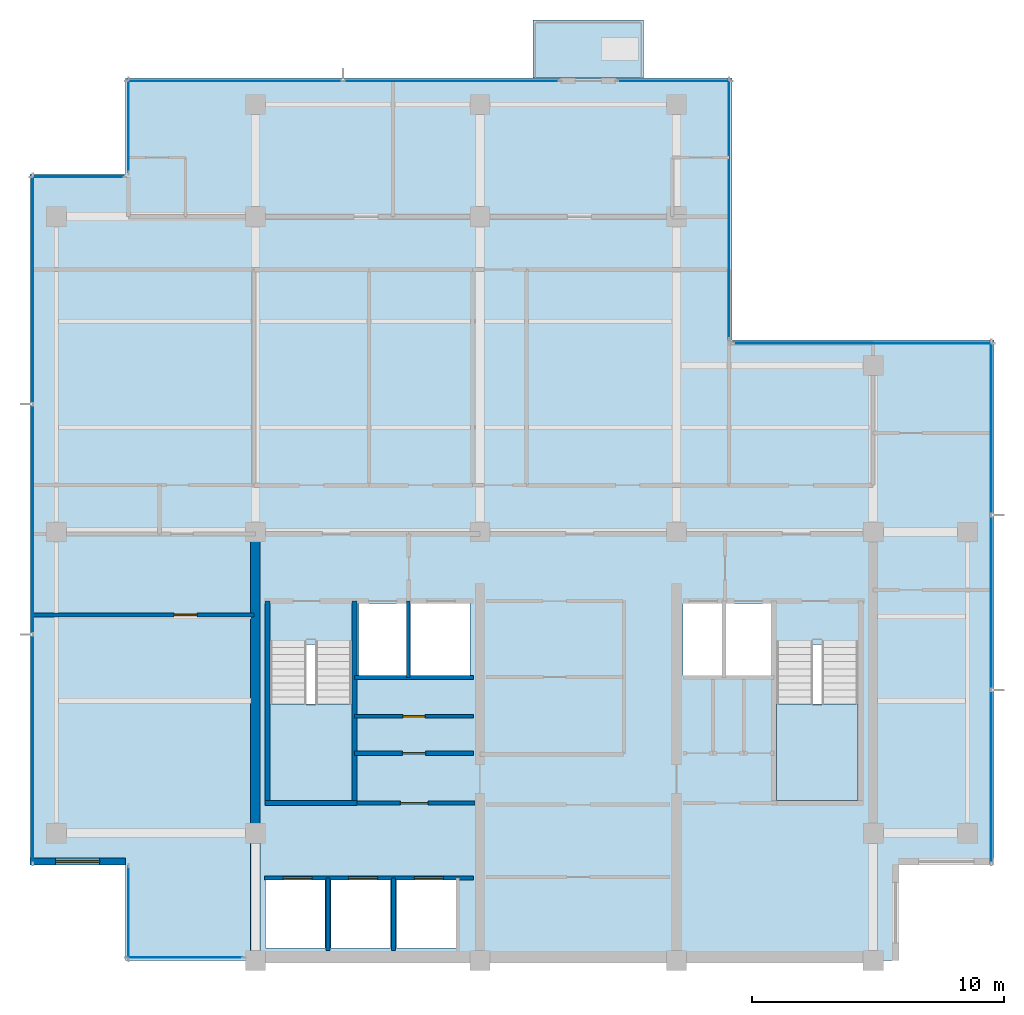
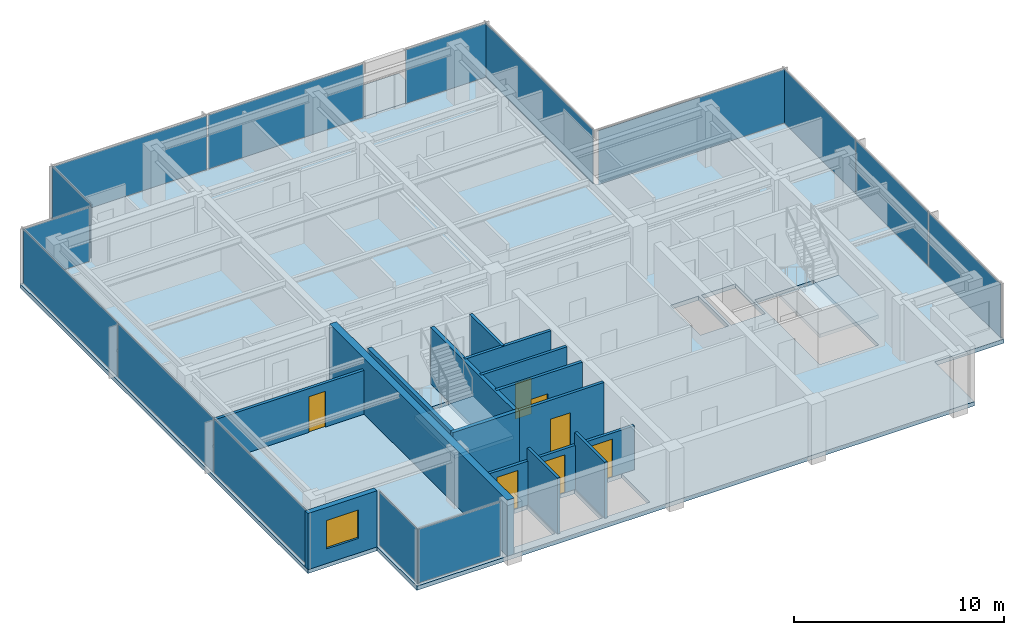
# One storey, part 5 of 11: 15 plates, 14 walls, 7 doors, 4 slabs, 1 window, 8 openings, 12 elements without a shape of their own.
"""IFC4 building model written with IfcOpenShell, lengths in metres."""

from ifc_helpers import new_model, si_unit, direction, frame, frame_2d, origin, origin_2d, place, context, subcontext, project, spatial, polyline, rectangle, outline, extrude, material, layer, layer_set, type_object, element, fill, aggregate, save


model = new_model("IFC4")

# Units and contexts
model_context = context("Model", 3, precision=1e-05, world=origin(), true_north=direction((0.0, 1.0)))
body_context = subcontext(model_context, "Body", "Model", "MODEL_VIEW")
ifc_project = project(units=[si_unit("LENGTHUNIT", "METRE"), si_unit("AREAUNIT", "SQUARE_METRE"), si_unit("VOLUMEUNIT", "CUBIC_METRE"), si_unit("PLANEANGLEUNIT", "RADIAN"), si_unit("MASSUNIT", "GRAM", prefix="KILO")], contexts=[model_context])

# Site, building, storey
site_placement = place(None, origin())
site = spatial("IfcSite", under=ifc_project, at=site_placement, CompositionType="ELEMENT")
building_placement = place(site_placement, origin())
building = spatial("IfcBuilding", under=site, at=building_placement, Name="Qalmaran Belvedere Hotel", CompositionType="ELEMENT")
storey_placement = place(building_placement, frame((0.0, 0.0, 277.39990234375)))
storey = spatial("IfcBuildingStorey", under=building, at=storey_placement, Name="L72", CompositionType="ELEMENT", Elevation=277.39990234375)

# Curtain wall, plate
ifc_material_1 = material(Name="Anodised Bronze Aluminium", Category="aluminium")
ifc_layer_1 = layer(ifc_material_1, 0.18505859375, Name="Anodised Bronze Aluminium")
ifc_layer_set_1 = layer_set([ifc_layer_1], Name="Anodised Bronze Aluminium")
curtain_wall_type = type_object("IfcCurtainWallType", Name="CW6-TOWER-SKY", PredefinedType="NOTDEFINED", material=ifc_layer_set_1)
curtain_wall_1_placement = place(storey_placement, origin())
curtain_wall_1 = element("IfcCurtainWall", 1, at=curtain_wall_1_placement, inside=storey, type_object=curtain_wall_type, Name="L72 Curtain Wall CW6", PredefinedType="NOTDEFINED")
ifc_material_2 = material(Name="Solar-Control Double Glazing", Category="glass")
ifc_layer_2 = layer(ifc_material_2, 0.028076171875, Name="Solar-Control Double Glazing")
ifc_layer_set_2 = layer_set([ifc_layer_2], Name="Solar-Control Double Glazing")
plate_type = type_object("IfcPlateType", Name="CWP-VISION-28", PredefinedType="CURTAIN_PANEL", material=ifc_layer_set_2)
plate_1_placement = place(storey_placement, frame((17.5048828125, 3.6201171875, 0.065185546875), z_axis=(0.0, 0.0, 1.0), x_axis=(1.0, 0.0, 0.0)))
plate_1 = element("IfcPlate", 2, at=plate_1_placement, type_object=plate_type, Name="CW6 panel 1.1", PredefinedType="CURTAIN_PANEL", context=body_context, shape_type="SweptSolid", body=[
    extrude(rectangle(XDim=4.580078125, YDim=0.028076171875, at=origin_2d()), origin(), (0.0, 0.0, 1.0), 3.1298828125),
])
aggregate(curtain_wall_1, [plate_1])

# Curtain wall, plates
curtain_wall_2_placement = place(storey_placement, origin())
curtain_wall_2 = element("IfcCurtainWall", 3, at=curtain_wall_2_placement, inside=storey, type_object=curtain_wall_type, Name="L72 Curtain Wall CW6", PredefinedType="NOTDEFINED")
plate_2_placement = place(storey_placement, frame((49.47998046875, 10.782958984375, 0.065185546875), z_axis=(0.0, 0.0, 1.0), x_axis=(0.0, 1.0, 0.0)))
plate_2 = element("IfcPlate", 4, at=plate_2_placement, type_object=plate_type, Name="CW6 panel 1.1", PredefinedType="CURTAIN_PANEL", context=body_context, shape_type="SweptSolid", body=[
    extrude(rectangle(XDim=6.8359375, YDim=0.028076171875, at=origin_2d()), origin(), (0.0, 0.0, 1.0), 3.1298828125),
])
plate_3_placement = place(storey_placement, frame((49.47998046875, 17.699951171875, 0.065185546875), z_axis=(0.0, 0.0, 1.0), x_axis=(0.0, 1.0, 0.0)))
plate_3 = element("IfcPlate", 5, at=plate_3_placement, type_object=plate_type, Name="CW6 panel 2.1", PredefinedType="CURTAIN_PANEL", context=body_context, shape_type="SweptSolid", body=[
    extrude(rectangle(XDim=6.868408203125, YDim=0.028076171875, at=origin_2d()), origin(), (0.0, 0.0, 1.0), 3.1298828125),
])
plate_4_placement = place(storey_placement, frame((49.47998046875, 24.6171875, 0.065185546875), z_axis=(0.0, 0.0, 1.0), x_axis=(0.0, 1.0, 0.0)))
plate_4 = element("IfcPlate", 6, at=plate_4_placement, type_object=plate_type, Name="CW6 panel 3.1", PredefinedType="CURTAIN_PANEL", context=body_context, shape_type="SweptSolid", body=[
    extrude(rectangle(XDim=6.8359375, YDim=0.028076171875, at=origin_2d()), origin(), (0.0, 0.0, 1.0), 3.1298828125),
])
aggregate(curtain_wall_2, [plate_2, plate_3, plate_4])

# Curtain wall, plate
curtain_wall_3_placement = place(storey_placement, origin())
curtain_wall_3 = element("IfcCurtainWall", 7, at=curtain_wall_3_placement, inside=storey, type_object=curtain_wall_type, Name="L72 Curtain Wall CW6", PredefinedType="NOTDEFINED")
plate_5_placement = place(storey_placement, frame((44.39990234375, 27.97998046875, 0.065185546875), z_axis=(0.0, 0.0, 1.0), x_axis=(-1.0, 0.0, 0.0)))
plate_5 = element("IfcPlate", 8, at=plate_5_placement, type_object=plate_type, Name="CW6 panel 1.1", PredefinedType="CURTAIN_PANEL", context=body_context, shape_type="SweptSolid", body=[
    extrude(rectangle(XDim=10.27001953125, YDim=0.028076171875, at=origin_2d()), origin(), (0.0, 0.0, 1.0), 3.1298828125),
])
aggregate(curtain_wall_3, [plate_5])

curtain_wall_4_placement = place(storey_placement, origin())
curtain_wall_4 = element("IfcCurtainWall", 9, at=curtain_wall_4_placement, inside=storey, type_object=curtain_wall_type, Name="L72 Curtain Wall CW6", PredefinedType="NOTDEFINED")
plate_6_placement = place(storey_placement, frame((39.080078125, 33.300048828125, 0.065185546875), z_axis=(0.0, 0.0, 1.0), x_axis=(0.0, 1.0, 0.0)))
plate_6 = element("IfcPlate", 10, at=plate_6_placement, type_object=plate_type, Name="CW6 panel 1.1", PredefinedType="CURTAIN_PANEL", context=body_context, shape_type="SweptSolid", body=[
    extrude(rectangle(XDim=10.27001953125, YDim=0.028076171875, at=origin_2d()), origin(), (0.0, 0.0, 1.0), 3.1298828125),
])
aggregate(curtain_wall_4, [plate_6])

# Curtain wall, plates
curtain_wall_5_placement = place(storey_placement, origin())
curtain_wall_5 = element("IfcCurtainWall", 11, at=curtain_wall_5_placement, inside=storey, type_object=curtain_wall_type, Name="L72 Curtain Wall CW6", PredefinedType="NOTDEFINED")
plate_7_placement = place(storey_placement, frame((28.0712890625, 38.3798828125, 0.065185546875), z_axis=(0.0, 0.0, 1.0), x_axis=(-1.0, 0.0, 0.0)))
plate_7 = element("IfcPlate", 12, at=plate_7_placement, type_object=plate_type, Name="CW6 panel 1.1", PredefinedType="CURTAIN_PANEL", context=body_context, shape_type="SweptSolid", body=[
    extrude(rectangle(XDim=8.527587890625, YDim=0.028076171875, at=origin_2d()), origin(), (0.0, 0.0, 1.0), 3.1298828125),
])
plate_8_placement = place(storey_placement, frame((19.478759765625, 38.3798828125, 0.065185546875), z_axis=(0.0, 0.0, 1.0), x_axis=(-1.0, 0.0, 0.0)))
plate_8 = element("IfcPlate", 13, at=plate_8_placement, type_object=plate_type, Name="CW6 panel 2.1", PredefinedType="CURTAIN_PANEL", context=body_context, shape_type="SweptSolid", body=[
    extrude(rectangle(XDim=8.527587890625, YDim=0.028076171875, at=origin_2d()), origin(), (0.0, 0.0, 1.0), 3.1298828125),
])
aggregate(curtain_wall_5, [plate_7, plate_8])

# Curtain wall, plate
curtain_wall_6_placement = place(storey_placement, origin())
curtain_wall_6 = element("IfcCurtainWall", 14, at=curtain_wall_6_placement, inside=storey, type_object=curtain_wall_type, Name="L72 Curtain Wall CW6", PredefinedType="NOTDEFINED")
plate_9_placement = place(storey_placement, frame((36.89990234375, 38.3798828125, 0.065185546875), z_axis=(0.0, 0.0, 1.0), x_axis=(-1.0, 0.0, 0.0)))
plate_9 = element("IfcPlate", 15, at=plate_9_placement, type_object=plate_type, Name="CW6 panel 1.1", PredefinedType="CURTAIN_PANEL", context=body_context, shape_type="SweptSolid", body=[
    extrude(rectangle(XDim=4.469970703125, YDim=0.028076171875, at=origin_2d()), origin(), (0.0, 0.0, 1.0), 3.1298828125),
])
aggregate(curtain_wall_6, [plate_9])

curtain_wall_7_placement = place(storey_placement, origin())
curtain_wall_7 = element("IfcCurtainWall", 16, at=curtain_wall_7_placement, inside=storey, type_object=curtain_wall_type, Name="L72 Curtain Wall CW6", PredefinedType="NOTDEFINED")
plate_10_placement = place(storey_placement, frame((15.27001953125, 36.60009765625, 0.065185546875), z_axis=(0.0, 0.0, 1.0), x_axis=(0.0, -1.0, 0.0)))
plate_10 = element("IfcPlate", 17, at=plate_10_placement, type_object=plate_type, Name="CW6 panel 1.1", PredefinedType="CURTAIN_PANEL", context=body_context, shape_type="SweptSolid", body=[
    extrude(rectangle(XDim=3.669921875, YDim=0.028076171875, at=origin_2d()), origin(), (0.0, 0.0, 1.0), 3.1298828125),
])
aggregate(curtain_wall_7, [plate_10])

curtain_wall_8_placement = place(storey_placement, origin())
curtain_wall_8 = element("IfcCurtainWall", 18, at=curtain_wall_8_placement, inside=storey, type_object=curtain_wall_type, Name="L72 Curtain Wall CW6", PredefinedType="NOTDEFINED")
plate_11_placement = place(storey_placement, frame((13.25, 34.580078125, 0.065185546875), z_axis=(0.0, 0.0, 1.0), x_axis=(-1.0, 0.0, 0.0)))
plate_11 = element("IfcPlate", 19, at=plate_11_placement, type_object=plate_type, Name="CW6 panel 1.1", PredefinedType="CURTAIN_PANEL", context=body_context, shape_type="SweptSolid", body=[
    extrude(rectangle(XDim=3.669921875, YDim=0.028076171875, at=origin_2d()), origin(), (0.0, 0.0, 1.0), 3.1298828125),
])
aggregate(curtain_wall_8, [plate_11])

# Curtain wall, plates
curtain_wall_9_placement = place(storey_placement, origin())
curtain_wall_9 = element("IfcCurtainWall", 20, at=curtain_wall_9_placement, inside=storey, type_object=curtain_wall_type, Name="L72 Curtain Wall CW6", PredefinedType="NOTDEFINED")
plate_12_placement = place(storey_placement, frame((11.469970703125, 30.1171875, 0.065185546875), z_axis=(0.0, 0.0, 1.0), x_axis=(0.0, -1.0, 0.0)))
plate_12 = element("IfcPlate", 21, at=plate_12_placement, type_object=plate_type, Name="CW6 panel 1.1", PredefinedType="CURTAIN_PANEL", context=body_context, shape_type="SweptSolid", body=[
    extrude(rectangle(XDim=9.035888671875, YDim=0.028076171875, at=origin_2d()), origin(), (0.0, 0.0, 1.0), 3.1298828125),
])
plate_13_placement = place(storey_placement, frame((11.469970703125, 21.0, 0.065185546875), z_axis=(0.0, 0.0, 1.0), x_axis=(0.0, -1.0, 0.0)))
plate_13 = element("IfcPlate", 22, at=plate_13_placement, type_object=plate_type, Name="CW6 panel 2.1", PredefinedType="CURTAIN_PANEL", context=body_context, shape_type="SweptSolid", body=[
    extrude(rectangle(XDim=9.068359375, YDim=0.028076171875, at=origin_2d()), origin(), (0.0, 0.0, 1.0), 3.1298828125),
])
plate_14_placement = place(storey_placement, frame((11.469970703125, 11.8828125, 0.065185546875), z_axis=(0.0, 0.0, 1.0), x_axis=(0.0, -1.0, 0.0)))
plate_14 = element("IfcPlate", 23, at=plate_14_placement, type_object=plate_type, Name="CW6 panel 3.1", PredefinedType="CURTAIN_PANEL", context=body_context, shape_type="SweptSolid", body=[
    extrude(rectangle(XDim=9.035888671875, YDim=0.028076171875, at=origin_2d()), origin(), (0.0, 0.0, 1.0), 3.1298828125),
])
aggregate(curtain_wall_9, [plate_12, plate_13, plate_14])

# Curtain wall, plate
curtain_wall_10_placement = place(storey_placement, origin())
curtain_wall_10 = element("IfcCurtainWall", 24, at=curtain_wall_10_placement, inside=storey, type_object=curtain_wall_type, Name="L72 Curtain Wall CW6", PredefinedType="NOTDEFINED")
plate_15_placement = place(storey_placement, frame((15.27001953125, 5.39990234375, 0.065185546875), z_axis=(0.0, 0.0, 1.0), x_axis=(0.0, -1.0, 0.0)))
plate_15 = element("IfcPlate", 25, at=plate_15_placement, type_object=plate_type, Name="CW6 panel 1.1", PredefinedType="CURTAIN_PANEL", context=body_context, shape_type="SweptSolid", body=[
    extrude(rectangle(XDim=3.669921875, YDim=0.028076171875, at=origin_2d()), origin(), (0.0, 0.0, 1.0), 3.1298828125),
])
aggregate(curtain_wall_10, [plate_15])

# Slab
ifc_material_3 = material(Name="Concrete C40/50", Category="concrete")
ifc_layer_3 = layer(ifc_material_3, 0.219970703125, Name="Concrete C40/50")
ifc_layer_set_3 = layer_set([ifc_layer_3], Name="Concrete C40/50")
slab_type_1 = type_object("IfcSlabType", Name="SLB-BAL-220", PredefinedType="USERDEFINED", material=ifc_layer_set_3)
slab_1_placement = place(storey_placement, frame((0.0, 0.0, -0.219970703125)))
element("IfcSlab", 26, at=slab_1_placement, inside=storey, type_object=slab_type_1, Name="L72 Planted Tree Balcony Slab 1", ObjectType="BALCONY", PredefinedType="USERDEFINED", context=body_context, shape_type="SweptSolid", body=[
    extrude(outline(polyline([(31.300048828125, 38.5), (35.699951171875, 38.5), (35.699951171875, 40.800048828125), (31.300048828125, 40.800048828125), (31.300048828125, 38.5)])), origin(), (0.0, 0.0, 1.0), 0.219970703125),
])

# Stair, slab
stair_type_1 = type_object("IfcStairType", Name="STR-ST-1-1450-R1750", PredefinedType="HALF_TURN_STAIR", material=ifc_material_3)
stair_1_placement = place(storey_placement, origin())
stair_1 = element("IfcStair", 27, at=stair_1_placement, inside=storey, type_object=stair_type_1, Name="L72 West Core Exit Stair ST-1", PredefinedType="HALF_TURN_STAIR")
ifc_layer_4 = layer(ifc_material_3, 0.199951171875, Name="Concrete C40/50")
ifc_layer_set_4 = layer_set([ifc_layer_4], Name="Concrete C40/50")
slab_type_2 = type_object("IfcSlabType", Name="SLB-STAIR-LANDING-200", PredefinedType="LANDING", material=ifc_layer_set_4)
slab_2_placement = place(storey_placement, frame((0.0, 0.0, 1.550048828125)))
slab_2 = element("IfcSlab", 28, at=slab_2_placement, type_object=slab_type_2, Name="ST-1 landing 1", PredefinedType="LANDING", context=body_context, shape_type="SweptSolid", body=[
    extrude(outline(polyline([(20.8798828125, 13.669921875), (20.8798828125, 9.85009765625), (24.1201171875, 9.85009765625), (24.1201171875, 13.669921875), (20.8798828125, 13.669921875)])), origin(), (0.0, 0.0, 1.0), 0.199951171875),
])
aggregate(stair_1, [slab_2])

stair_type_2 = type_object("IfcStairType", Name="STR-ST-2-1450-R1750", PredefinedType="HALF_TURN_STAIR", material=ifc_material_3)
stair_2_placement = place(storey_placement, origin())
stair_2 = element("IfcStair", 29, at=stair_2_placement, inside=storey, type_object=stair_type_2, Name="L72 East Core Exit Stair ST-2", PredefinedType="HALF_TURN_STAIR")
slab_3_placement = place(storey_placement, frame((0.0, 0.0, 1.550048828125)))
slab_3 = element("IfcSlab", 30, at=slab_3_placement, type_object=slab_type_2, Name="ST-2 landing 1", PredefinedType="LANDING", context=body_context, shape_type="SweptSolid", body=[
    extrude(outline(polyline([(40.9599609375, 13.669921875), (40.9599609375, 9.85009765625), (44.199951171875, 9.85009765625), (44.199951171875, 13.669921875), (40.9599609375, 13.669921875)])), origin(), (0.0, 0.0, 1.0), 0.199951171875),
])
aggregate(stair_2, [slab_3])

# Slab
ifc_layer_5 = layer(ifc_material_3, 0.239990234375, Name="Concrete C40/50")
ifc_layer_set_5 = layer_set([ifc_layer_5], Name="Concrete C40/50")
slab_type_3 = type_object("IfcSlabType", Name="SLB-Z4-240", PredefinedType="FLOOR", material=ifc_layer_set_5)
slab_4_placement = place(storey_placement, frame((0.0, 0.0, -0.239990234375)))
element("IfcSlab", 31, at=slab_4_placement, inside=storey, type_object=slab_type_3, Name="L72 Structural Floor Slab", PredefinedType="FLOOR", context=body_context, shape_type="SweptSolid", body=[
    extrude(outline(polyline([(15.14990234375, 3.5), (45.800048828125, 3.5), (45.800048828125, 7.300048828125), (49.60009765625, 7.300048828125), (49.60009765625, 28.10009765625), (39.199951171875, 28.10009765625), (39.199951171875, 38.5), (15.14990234375, 38.5), (15.14990234375, 34.699951171875), (11.35009765625, 34.699951171875), (11.35009765625, 7.300048828125), (15.14990234375, 7.300048828125), (15.14990234375, 3.5)]), holes=[polyline([(20.8798828125, 9.85009765625), (24.1201171875, 9.85009765625), (24.1201171875, 16.0400390625), (20.8798828125, 16.0400390625), (20.8798828125, 9.85009765625)]), polyline([(40.9599609375, 9.85009765625), (44.199951171875, 9.85009765625), (44.199951171875, 16.0400390625), (40.9599609375, 16.0400390625), (40.9599609375, 9.85009765625)]), polyline([(20.699951171875, 4.0), (23.050048828125, 4.0), (23.050048828125, 6.699951171875), (20.699951171875, 6.699951171875), (20.699951171875, 4.0)]), polyline([(23.300048828125, 4.0), (25.64990234375, 4.0), (25.64990234375, 6.699951171875), (23.300048828125, 6.699951171875), (23.300048828125, 4.0)]), polyline([(25.89990234375, 4.0), (28.25, 4.0), (28.25, 6.699951171875), (25.89990234375, 6.699951171875), (25.89990234375, 4.0)]), polyline([(24.39990234375, 14.800048828125), (26.300048828125, 14.800048828125), (26.300048828125, 17.64990234375), (24.39990234375, 17.64990234375), (24.39990234375, 14.800048828125)]), polyline([(38.949951171875, 14.800048828125), (40.820068359375, 14.800048828125), (40.820068359375, 17.64990234375), (38.949951171875, 17.64990234375), (38.949951171875, 14.800048828125)]), polyline([(26.449951171875, 14.800048828125), (28.800048828125, 14.800048828125), (28.800048828125, 17.64990234375), (26.449951171875, 17.64990234375), (26.449951171875, 14.800048828125)]), polyline([(37.25, 14.800048828125), (38.800048828125, 14.800048828125), (38.800048828125, 17.64990234375), (37.25, 17.64990234375), (37.25, 14.800048828125)])]), origin(), (0.0, 0.0, 1.0), 0.239990234375),
])

# Wall
ifc_material_4 = material(Name="Concrete C50/60", Category="concrete")
ifc_layer_6 = layer(ifc_material_4, 0.3798828125, Name="Concrete C50/60")
ifc_layer_set_6 = layer_set([ifc_layer_6], Name="Concrete C50/60")
wall_type_1 = type_object("IfcWallType", Name="WL-CORE-380-C50", PredefinedType="SHEAR", material=ifc_layer_set_6)
wall_1_placement = place(storey_placement, frame((20.300048828125, 3.5, 0.0), z_axis=(0.0, 0.0, 1.0), x_axis=(0.0, 1.0, 0.0)))
element("IfcWall", 32, at=wall_1_placement, inside=storey, type_object=wall_type_1, Name="L72 West Core Shear Wall", PredefinedType="SHEAR", context=body_context, shape_type="SweptSolid", body=[
    extrude(rectangle(XDim=16.89990234375, YDim=0.3798828125, at=frame_2d((8.449951171875, 0.0))), origin(), (0.0, 0.0, 1.0), 3.260009765625),
])

# Wall, opening, window
ifc_material_5 = material(Name="Anodised Bronze Cladding")
ifc_layer_7 = layer(ifc_material_5, 0.280029296875, Name="Anodised Bronze Cladding")
ifc_layer_set_7 = layer_set([ifc_layer_7], Name="Anodised Bronze Cladding")
wall_type_2 = type_object("IfcWallType", Name="WL-EXT-BRNZ-280", PredefinedType="SOLIDWALL", material=ifc_layer_set_7)
wall_2_placement = place(storey_placement, frame((11.35009765625, 7.419921875, 0.0), z_axis=(0.0, 0.0, 1.0), x_axis=(1.0, 0.0, 0.0)))
wall_2 = element("IfcWall", 33, at=wall_2_placement, inside=storey, type_object=wall_type_2, Name="L72 Corner Notch Wall 10", PredefinedType="SOLIDWALL", context=body_context, shape_type="SweptSolid", body=[
    extrude(rectangle(XDim=3.7998046875, YDim=0.280029296875, at=frame_2d((1.89990234375, 0.0))), origin(), (0.0, 0.0, 1.0), 3.260009765625),
])
opening_1_placement = place(wall_2_placement, frame((1.02490234375, 0.0, 0.85009765625)))
opening_1 = element("IfcOpeningElement", 34, at=opening_1_placement, cuts=wall_2, Name="Opening W-N17", PredefinedType="OPENING", context=body_context, shape_type="SweptSolid", body=[
    extrude(rectangle(XDim=1.75, YDim=1.64990234375, at=frame_2d((0.875, 0.824951171875))), frame((0.0, 0.14990234375, 0.0), z_axis=(0.0, -1.0, 0.0), x_axis=(1.0, 0.0, 0.0)), (0.0, 0.0, 1.0), 0.300048828125),
])
window_type = type_object("IfcWindowType", Name="WN-NTC-1750X1650", PartitioningType="SINGLE_PANEL", PredefinedType="WINDOW", material=ifc_material_2)
window_placement = place(opening_1_placement, origin())
window = element("IfcWindow", 35, at=window_placement, inside=storey, type_object=window_type, Name="L72 Corner Notch Window 10", OverallHeight=1.64990234375, OverallWidth=1.75, PartitioningType="SINGLE_PANEL", PredefinedType="WINDOW", context=body_context, shape_type="SweptSolid", body=[
    extrude(rectangle(XDim=1.75, YDim=1.64990234375, at=frame_2d((0.875, 0.824951171875))), frame((0.0, 0.030029296875, 0.0), z_axis=(0.0, -1.0, 0.0), x_axis=(1.0, 0.0, 0.0)), (0.0, 0.0, 1.0), 0.06005859375),
])
fill(opening_1, window)

# Walls
ifc_material_6 = material(Name="Gypsum Stud Partition")
ifc_layer_8 = layer(ifc_material_6, 0.14990234375, Name="Gypsum Stud Partition")
ifc_layer_set_8 = layer_set([ifc_layer_8], Name="Gypsum Stud Partition")
wall_type_3 = type_object("IfcWallType", Name="WL-INT-150-EI120", PredefinedType="PARTITIONING", material=ifc_layer_set_8)
wall_3_placement = place(storey_placement, frame((26.360107421875, 14.719970703125, 0.0), z_axis=(0.0, 0.0, 1.0), x_axis=(0.0, 1.0, 0.0)))
element("IfcWall", 36, at=wall_3_placement, inside=storey, type_object=wall_type_3, Name="L72 Partition WL-FF1M-L72", PredefinedType="PARTITIONING", context=body_context, shape_type="SweptSolid", body=[
    extrude(rectangle(XDim=3.0400390625, YDim=0.14990234375, at=frame_2d((1.52001953125, 0.0))), origin(), (0.0, 0.0, 1.0), 3.260009765625),
])
for number, where, z_axis, x_axis, name in (
    (37, (23.179931640625, 3.89990234375, 0.0), (0.0, 0.0, 1.0), (0.0, 1.0, 0.0), "L72 Partition WL-POM1-L72"),
    (38, (25.780029296875, 3.89990234375, 0.0), (0.0, 0.0, 1.0), (0.0, 1.0, 0.0), "L72 Partition WL-POM2-L72"),
):
    element("IfcWall", number, at=place(storey_placement, frame(where, z_axis=z_axis, x_axis=x_axis)), inside=storey, type_object=wall_type_3, Name=name, PredefinedType="PARTITIONING", context=body_context, shape_type="SweptSolid", body=[
        extrude(rectangle(XDim=2.880126953125, YDim=0.14990234375, at=frame_2d((1.43994140625, 0.0))), origin(), (0.0, 0.0, 1.0), 3.260009765625),
    ])

# Wall, opening, door
ifc_layer_9 = layer(ifc_material_6, 0.14990234375, Name="Gypsum Stud Partition")
ifc_layer_set_9 = layer_set([ifc_layer_9], Name="Gypsum Stud Partition")
wall_type_4 = type_object("IfcWallType", Name="WL-INT-150-EI60", PredefinedType="PARTITIONING", material=ifc_layer_set_9)
wall_4_placement = place(storey_placement, frame((24.219970703125, 13.18505859375, 0.0), z_axis=(0.0, 0.0, 1.0), x_axis=(1.0, 0.0, 0.0)))
wall_4 = element("IfcWall", 39, at=wall_4_placement, inside=storey, type_object=wall_type_4, Name="L72 Partition WL-L72-KWHM", PredefinedType="PARTITIONING", context=body_context, shape_type="SweptSolid", body=[
    extrude(rectangle(XDim=4.72998046875, YDim=0.14990234375, at=frame_2d((2.364990234375, 0.0))), origin(), (0.0, 0.0, 1.0), 3.260009765625),
])
opening_2_placement = place(wall_4_placement, frame((1.925048828125, 0.0, 0.0)))
opening_2 = element("IfcOpeningElement", 40, at=opening_2_placement, cuts=wall_4, Name="Opening FD60B", PredefinedType="OPENING", context=body_context, shape_type="SweptSolid", body=[
    extrude(rectangle(XDim=0.8798828125, YDim=2.080078125, at=frame_2d((0.43994140625, 1.0400390625))), frame((0.0, 0.0849609375, 0.0), z_axis=(0.0, -1.0, 0.0), x_axis=(1.0, 0.0, 0.0)), (0.0, 0.0, 1.0), 0.169921875),
])
ifc_material_7 = material(Name="Steel S355JR", Category="steel")
door_type_1 = type_object("IfcDoorType", Name="DR-FD60B-880X2080", OperationType="NOTDEFINED", PredefinedType="DOOR", material=ifc_material_7)
door_1_placement = place(opening_2_placement, origin())
door_1 = element("IfcDoor", 41, at=door_1_placement, inside=storey, type_object=door_type_1, Name="L72 Staff Core WC Door", OperationType="SINGLE_SWING_LEFT", OverallHeight=2.080078125, OverallWidth=0.8798828125, PredefinedType="DOOR", context=body_context, shape_type="SweptSolid", body=[
    extrude(rectangle(XDim=0.8798828125, YDim=2.080078125, at=frame_2d((0.43994140625, 1.0400390625))), frame((0.0, 0.02490234375, 0.0), z_axis=(0.0, -1.0, 0.0), x_axis=(1.0, 0.0, 0.0)), (0.0, 0.0, 1.0), 0.050048828125),
])
fill(opening_2, door_1)

# Wall
ifc_layer_10 = layer(ifc_material_6, 0.159912109375, Name="Gypsum Stud Partition")
ifc_layer_set_10 = layer_set([ifc_layer_10], Name="Gypsum Stud Partition")
wall_type_5 = type_object("IfcWallType", Name="WL-INT-160-EI120", PredefinedType="PARTITIONING", material=ifc_layer_set_10)
wall_5_placement = place(storey_placement, frame((24.219970703125, 14.719970703125, 0.0), z_axis=(0.0, 0.0, 1.0), x_axis=(1.0, 0.0, 0.0)))
element("IfcWall", 42, at=wall_5_placement, inside=storey, type_object=wall_type_5, Name="L72 Partition WL-FF1S-L72", PredefinedType="PARTITIONING", context=body_context, shape_type="SweptSolid", body=[
    extrude(rectangle(XDim=4.72998046875, YDim=0.159912109375, at=frame_2d((2.364990234375, 0.0))), origin(), (0.0, 0.0, 1.0), 3.260009765625),
])

# Wall, openings, doors
wall_6_placement = place(storey_placement, frame((20.64990234375, 6.780029296875, 0.0), z_axis=(0.0, 0.0, 1.0), x_axis=(1.0, 0.0, 0.0)))
wall_6 = element("IfcWall", 43, at=wall_6_placement, inside=storey, type_object=wall_type_5, Name="L72 Partition WL-POS-L72", PredefinedType="PARTITIONING", context=body_context, shape_type="SweptSolid", body=[
    extrude(rectangle(XDim=8.300048828125, YDim=0.159912109375, at=frame_2d((4.14990234375, 0.0))), origin(), (0.0, 0.0, 1.0), 2.550048828125),
])
opening_3_placement = place(wall_6_placement, frame((0.75, 0.0, 0.0)))
opening_3 = element("IfcOpeningElement", 44, at=opening_3_placement, cuts=wall_6, Name="Opening LD-PO", PredefinedType="OPENING", context=body_context, shape_type="SweptSolid", body=[
    extrude(rectangle(XDim=1.14990234375, YDim=2.199951171875, at=frame_2d((0.574951171875, 1.10009765625))), frame((0.0, 0.08984375, 0.0), z_axis=(0.0, -1.0, 0.0), x_axis=(1.0, 0.0, 0.0)), (0.0, 0.0, 1.0), 0.179931640625),
])
opening_4_placement = place(wall_6_placement, frame((3.35009765625, 0.0, 0.0)))
opening_4 = element("IfcOpeningElement", 45, at=opening_4_placement, cuts=wall_6, Name="Opening LD-PO", PredefinedType="OPENING", context=body_context, shape_type="SweptSolid", body=[
    extrude(rectangle(XDim=1.14990234375, YDim=2.199951171875, at=frame_2d((0.574951171875, 1.10009765625))), frame((0.0, 0.08984375, 0.0), z_axis=(0.0, -1.0, 0.0), x_axis=(1.0, 0.0, 0.0)), (0.0, 0.0, 1.0), 0.179931640625),
])
opening_5_placement = place(wall_6_placement, frame((5.949951171875, 0.0, 0.0)))
opening_5 = element("IfcOpeningElement", 46, at=opening_5_placement, cuts=wall_6, Name="Opening LD-PO", PredefinedType="OPENING", context=body_context, shape_type="SweptSolid", body=[
    extrude(rectangle(XDim=1.14990234375, YDim=2.199951171875, at=frame_2d((0.574951171875, 1.10009765625))), frame((0.0, 0.08984375, 0.0), z_axis=(0.0, -1.0, 0.0), x_axis=(1.0, 0.0, 0.0)), (0.0, 0.0, 1.0), 0.179931640625),
])
door_type_2 = type_object("IfcDoorType", Name="DR-LIFT-PO-1150X2200", OperationType="DOUBLE_DOOR_SLIDING", PredefinedType="DOOR", material=ifc_material_1)
door_2_placement = place(opening_3_placement, origin())
door_2 = element("IfcDoor", 47, at=door_2_placement, inside=storey, type_object=door_type_2, Name="L72 PO1 Shuttle Landing Door", OperationType="DOUBLE_DOOR_SLIDING", OverallHeight=2.199951171875, OverallWidth=1.14990234375, PredefinedType="DOOR", context=body_context, shape_type="SweptSolid", body=[
    extrude(rectangle(XDim=1.14990234375, YDim=2.199951171875, at=frame_2d((0.574951171875, 1.10009765625))), frame((0.0, 0.02490234375, 0.0), z_axis=(0.0, -1.0, 0.0), x_axis=(1.0, 0.0, 0.0)), (0.0, 0.0, 1.0), 0.050048828125),
])
fill(opening_3, door_2)
door_3_placement = place(opening_4_placement, origin())
door_3 = element("IfcDoor", 48, at=door_3_placement, inside=storey, type_object=door_type_2, Name="L72 PO2 Shuttle Landing Door", OperationType="DOUBLE_DOOR_SLIDING", OverallHeight=2.199951171875, OverallWidth=1.14990234375, PredefinedType="DOOR", context=body_context, shape_type="SweptSolid", body=[
    extrude(rectangle(XDim=1.14990234375, YDim=2.199951171875, at=frame_2d((0.574951171875, 1.10009765625))), frame((0.0, 0.02490234375, 0.0), z_axis=(0.0, -1.0, 0.0), x_axis=(1.0, 0.0, 0.0)), (0.0, 0.0, 1.0), 0.050048828125),
])
fill(opening_4, door_3)
door_4_placement = place(opening_5_placement, origin())
door_4 = element("IfcDoor", 49, at=door_4_placement, inside=storey, type_object=door_type_2, Name="L72 PO3 Shuttle Landing Door", OperationType="DOUBLE_DOOR_SLIDING", OverallHeight=2.199951171875, OverallWidth=1.14990234375, PredefinedType="DOOR", context=body_context, shape_type="SweptSolid", body=[
    extrude(rectangle(XDim=1.14990234375, YDim=2.199951171875, at=frame_2d((0.574951171875, 1.10009765625))), frame((0.0, 0.02490234375, 0.0), z_axis=(0.0, -1.0, 0.0), x_axis=(1.0, 0.0, 0.0)), (0.0, 0.0, 1.0), 0.050048828125),
])
fill(opening_5, door_4)

# Wall, opening, door
wall_7_placement = place(storey_placement, frame((24.199951171875, 9.739990234375, 0.0), z_axis=(0.0, 0.0, 1.0), x_axis=(1.0, 0.0, 0.0)))
wall_7 = element("IfcWall", 50, at=wall_7_placement, inside=storey, type_object=wall_type_5, Name="L72 Partition WL-PON-L72", PredefinedType="PARTITIONING", context=body_context, shape_type="SweptSolid", body=[
    extrude(rectangle(XDim=4.800048828125, YDim=0.159912109375, at=frame_2d((2.39990234375, 0.0))), origin(), (0.0, 0.0, 1.0), 3.260009765625),
])
opening_6_placement = place(wall_7_placement, frame((1.85009765625, 0.0, 0.0)))
opening_6 = element("IfcOpeningElement", 51, at=opening_6_placement, cuts=wall_7, Name="Opening FD90", PredefinedType="OPENING", context=body_context, shape_type="SweptSolid", body=[
    extrude(rectangle(XDim=1.10009765625, YDim=2.14990234375, at=frame_2d((0.550048828125, 1.074951171875))), frame((0.0, 0.08984375, 0.0), z_axis=(0.0, -1.0, 0.0), x_axis=(1.0, 0.0, 0.0)), (0.0, 0.0, 1.0), 0.179931640625),
])
door_type_3 = type_object("IfcDoorType", Name="DR-FD90-1100X2150", OperationType="NOTDEFINED", PredefinedType="DOOR", material=ifc_material_7)
door_5_placement = place(opening_6_placement, origin())
door_5 = element("IfcDoor", 52, at=door_5_placement, inside=storey, type_object=door_type_3, Name="L72 Shuttle Lobby Passage Door", OperationType="SINGLE_SWING_LEFT", OverallHeight=2.14990234375, OverallWidth=1.10009765625, PredefinedType="DOOR", context=body_context, shape_type="SweptSolid", body=[
    extrude(rectangle(XDim=1.10009765625, YDim=2.14990234375, at=frame_2d((0.550048828125, 1.074951171875))), frame((0.0, 0.02490234375, 0.0), z_axis=(0.0, -1.0, 0.0), x_axis=(1.0, 0.0, 0.0)), (0.0, 0.0, 1.0), 0.050048828125),
])
fill(opening_6, door_5)

ifc_layer_11 = layer(ifc_material_6, 0.159912109375, Name="Gypsum Stud Partition")
ifc_layer_set_11 = layer_set([ifc_layer_11], Name="Gypsum Stud Partition")
wall_type_6 = type_object("IfcWallType", Name="WL-INT-160-EI60", PredefinedType="PARTITIONING", material=ifc_layer_set_11)
wall_8_placement = place(storey_placement, frame((24.219970703125, 11.719970703125, 0.0), z_axis=(0.0, 0.0, 1.0), x_axis=(1.0, 0.0, 0.0)))
wall_8 = element("IfcWall", 53, at=wall_8_placement, inside=storey, type_object=wall_type_6, Name="L72 Partition WL-L72-KWE1", PredefinedType="PARTITIONING", context=body_context, shape_type="SweptSolid", body=[
    extrude(rectangle(XDim=4.72998046875, YDim=0.159912109375, at=frame_2d((2.364990234375, 0.0))), origin(), (0.0, 0.0, 1.0), 3.260009765625),
])
opening_7_placement = place(wall_8_placement, frame((1.905029296875, 0.0, 0.0)))
opening_7 = element("IfcOpeningElement", 54, at=opening_7_placement, cuts=wall_8, Name="Opening FD60S1", PredefinedType="OPENING", context=body_context, shape_type="SweptSolid", body=[
    extrude(rectangle(XDim=0.919921875, YDim=2.080078125, at=frame_2d((0.4599609375, 1.0400390625))), frame((0.0, 0.08984375, 0.0), z_axis=(0.0, -1.0, 0.0), x_axis=(1.0, 0.0, 0.0)), (0.0, 0.0, 1.0), 0.179931640625),
])
ifc_material_8 = material(Name="Engineered Oak Veneer")
door_type_4 = type_object("IfcDoorType", Name="DR-FD60S-920X2080", OperationType="NOTDEFINED", PredefinedType="DOOR", material=ifc_material_8)
door_6_placement = place(opening_7_placement, origin())
door_6 = element("IfcDoor", 55, at=door_6_placement, inside=storey, type_object=door_type_4, Name="L72 Cleaner Supply Store Door", OperationType="SINGLE_SWING_RIGHT", OverallHeight=2.080078125, OverallWidth=0.919921875, PredefinedType="DOOR", context=body_context, shape_type="SweptSolid", body=[
    extrude(rectangle(XDim=0.919921875, YDim=2.080078125, at=frame_2d((0.4599609375, 1.0400390625))), frame((0.0, 0.02490234375, 0.0), z_axis=(0.0, -1.0, 0.0), x_axis=(1.0, 0.0, 0.0)), (0.0, 0.0, 1.0), 0.050048828125),
])
fill(opening_7, door_6)

wall_9_placement = place(storey_placement, frame((11.469970703125, 17.199951171875, 0.0), z_axis=(0.0, 0.0, 1.0), x_axis=(1.0, 0.0, 0.0)))
wall_9 = element("IfcWall", 56, at=wall_9_placement, inside=storey, type_object=wall_type_6, Name="L72 Partition WL-L72-C4WH1", PredefinedType="PARTITIONING", context=body_context, shape_type="SweptSolid", body=[
    extrude(rectangle(XDim=8.780029296875, YDim=0.159912109375, at=frame_2d((4.39013671875, 0.0))), origin(), (0.0, 0.0, 1.0), 2.550048828125),
])
opening_8_placement = place(wall_9_placement, frame((6.52001953125, 0.0, 0.0), z_axis=(0.0, 0.0, 1.0), x_axis=(-1.0, 0.0, 0.0)))
opening_8 = element("IfcOpeningElement", 57, at=opening_8_placement, cuts=wall_9, Name="Opening FD60S1", PredefinedType="OPENING", context=body_context, shape_type="SweptSolid", body=[
    extrude(rectangle(XDim=0.919921875, YDim=2.080078125, at=frame_2d((0.4599609375, 1.0400390625))), frame((0.0, 0.08984375, 0.0), z_axis=(0.0, -1.0, 0.0), x_axis=(1.0, 0.0, 0.0)), (0.0, 0.0, 1.0), 0.179931640625),
])
door_7_placement = place(opening_8_placement, origin())
door_7 = element("IfcDoor", 58, at=door_7_placement, inside=storey, type_object=door_type_4, Name="L72 SW Panorama Inner Door", OperationType="SINGLE_SWING_LEFT", OverallHeight=2.080078125, OverallWidth=0.919921875, PredefinedType="DOOR", context=body_context, shape_type="SweptSolid", body=[
    extrude(rectangle(XDim=0.919921875, YDim=2.080078125, at=frame_2d((0.4599609375, 1.0400390625))), frame((0.0, 0.02490234375, 0.0), z_axis=(0.0, -1.0, 0.0), x_axis=(1.0, 0.0, 0.0)), (0.0, 0.0, 1.0), 0.050048828125),
])
fill(opening_8, door_7)

# Walls
ifc_layer_12 = layer(ifc_material_4, 0.2099609375, Name="Concrete C50/60")
ifc_layer_set_12 = layer_set([ifc_layer_12], Name="Concrete C50/60")
wall_type_7 = type_object("IfcWallType", Name="WL-STAIR-210-C50", PredefinedType="SHEAR", material=ifc_layer_set_12)
for number, where, z_axis, x_axis, name in (
    (59, (20.77490234375, 9.7451171875, 0.0), (0.0, 0.0, 1.0), (0.0, 1.0, 0.0), "L72 Stair ST-1 West Bearing Wall"),
    (60, (24.22509765625, 9.7451171875, 0.0), (0.0, 0.0, 1.0), (0.0, 1.0, 0.0), "L72 Stair ST-1 East Bearing Wall"),
):
    element("IfcWall", number, at=place(storey_placement, frame(where, z_axis=z_axis, x_axis=x_axis)), inside=storey, type_object=wall_type_7, Name=name, PredefinedType="SHEAR", context=body_context, shape_type="SweptSolid", body=[
        extrude(rectangle(XDim=8.009765625, YDim=0.2099609375, at=frame_2d((4.0048828125, 0.0))), origin(), (0.0, 0.0, 1.0), 3.260009765625),
    ])
wall_10_placement = place(storey_placement, frame((20.669921875, 9.7451171875, 0.0), z_axis=(0.0, 0.0, 1.0), x_axis=(1.0, 0.0, 0.0)))
element("IfcWall", 61, at=wall_10_placement, inside=storey, type_object=wall_type_7, Name="L72 Stair ST-1 South Bearing Wall", PredefinedType="SHEAR", context=body_context, shape_type="SweptSolid", body=[
    extrude(rectangle(XDim=3.66015625, YDim=0.2099609375, at=frame_2d((1.830078125, 0.0))), origin(), (0.0, 0.0, 1.0), 3.260009765625),
])

save(model, "model.ifc")
